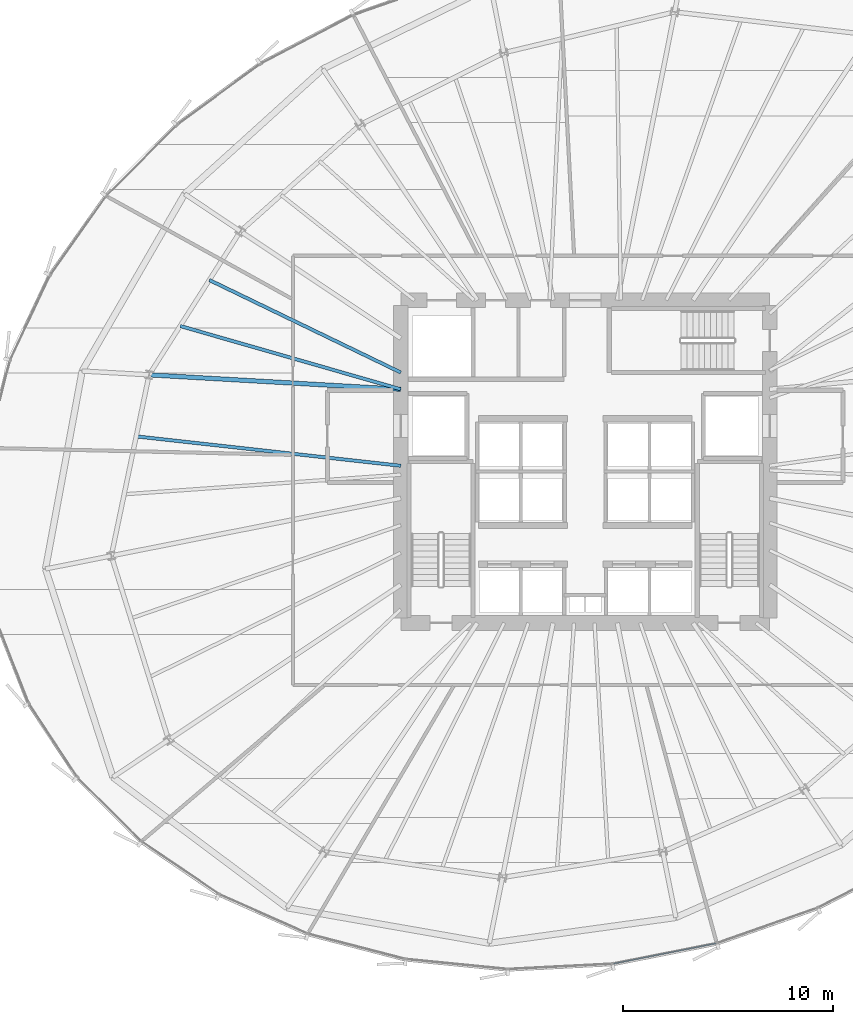
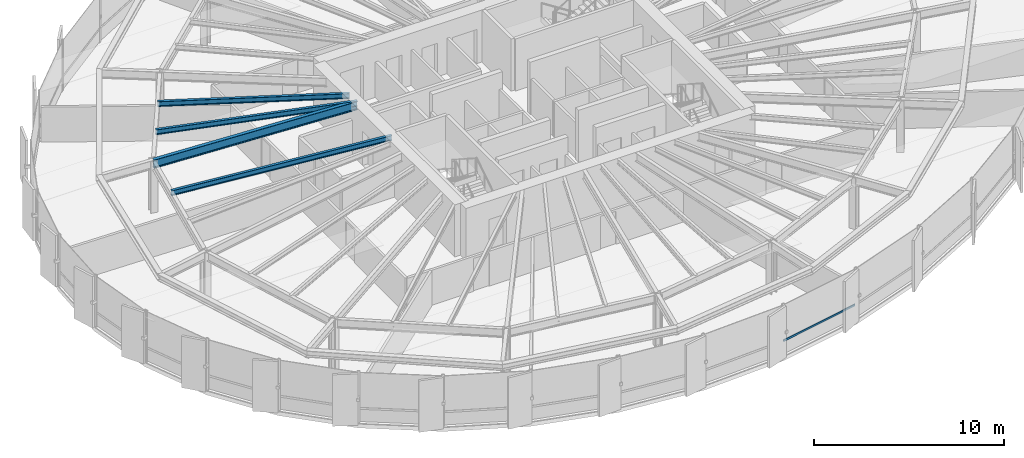
# One storey, part 10 of 35: 4 beams, 1 member, 1 element without a shape of its own.
"""IFC4 building model written with IfcOpenShell, lengths in metres."""

from ifc_helpers import new_model, si_unit, direction, frame, origin, origin_2d, place, context, subcontext, project, spatial, hollow_rectangle, i_section, extrude, source, transform, mapped, material, layer, layer_set, material_profile, profile_set, type_object, element, aggregate, save


model = new_model("IFC4")

# Units and contexts
model_context = context("Model", 3, precision=1e-05, world=origin(), true_north=direction((0.0, 1.0)))
body_context = subcontext(model_context, "Body", "Model", "MODEL_VIEW")
ifc_project = project(units=[si_unit("LENGTHUNIT", "METRE"), si_unit("AREAUNIT", "SQUARE_METRE"), si_unit("VOLUMEUNIT", "CUBIC_METRE"), si_unit("PLANEANGLEUNIT", "RADIAN"), si_unit("MASSUNIT", "GRAM", prefix="KILO"), si_unit("THERMODYNAMICTEMPERATUREUNIT", "KELVIN")], contexts=[model_context])

# Site, building, storey
site_placement = place(None, origin())
site = spatial("IfcSite", under=ifc_project, at=site_placement, CompositionType="ELEMENT")
building_placement = place(site_placement, origin())
building = spatial("IfcBuilding", under=site, at=building_placement, Name="Kethvar Cultural Tower", CompositionType="ELEMENT")
storey_placement = place(building_placement, frame((0.0, 0.0, 96.39990234375)))
storey = spatial("IfcBuildingStorey", under=building, at=storey_placement, Name="L23", CompositionType="ELEMENT", Elevation=96.39990234375)

# Beams
ifc_material_1 = material(Name="Steel S355J2", Category="steel")
ifc_material_profile_1 = material_profile(ifc_material_1, i_section(OverallWidth=0.2099609375, OverallDepth=0.550048828125, WebThickness=0.010986328125, FlangeThickness=0.01708984375, FilletRadius=0.02392578125, at=origin_2d()), Name="Steel S355J2 — IPE550")
ifc_profile_set_1 = profile_set([ifc_material_profile_1], Name="Steel S355J2 — IPE550")
beam_type_1 = type_object("IfcBeamType", Name="BM-IPE550", PredefinedType="BEAM", material=ifc_profile_set_1)
shared_shape_1 = source(origin(), body_context, "Body", "SweptSolid", [
    extrude(i_section(OverallWidth=0.2099609375, OverallDepth=0.550048828125, WebThickness=0.010986328125, FlangeThickness=0.01708984375, FilletRadius=0.02392578125, at=origin_2d()), origin(), (0.0, 0.0, 1.0), 12.03125),
])
beam_1_placement = place(storey_placement, frame((38.0, 31.25, 3.072998046875), z_axis=(-0.998355544741, 0.057325441856, 0.0), x_axis=(-0.057325441856, -0.998355544741, 0.0)))
element("IfcBeam", 1, at=beam_1_placement, inside=storey, type_object=beam_type_1, Name="L23 Primary Radial Beam RB-08", PredefinedType="BEAM", context=body_context, shape_type="MappedRepresentation", body=[
    mapped(shared_shape_1, transform((0.0, 0.0, 0.0), scale=1.0)),
])
ifc_material_profile_2 = material_profile(ifc_material_1, i_section(OverallWidth=0.159912109375, OverallDepth=0.330078125, WebThickness=0.007568359375, FlangeThickness=0.011474609375, FilletRadius=0.01806640625, at=origin_2d()), Name="Steel S355J2 — IPE330")
ifc_profile_set_2 = profile_set([ifc_material_profile_2], Name="Steel S355J2 — IPE330")
beam_type_2 = type_object("IfcBeamType", Name="BM-J330", PredefinedType="JOIST", material=ifc_profile_set_2)
shared_shape_2 = source(origin(), body_context, "Body", "SweptSolid", [
    extrude(i_section(OverallWidth=0.159912109375, OverallDepth=0.330078125, WebThickness=0.007568359375, FlangeThickness=0.011474609375, FilletRadius=0.01806640625, at=origin_2d()), origin(), (0.0, 0.0, 1.0), 10.1455078125),
])
beam_2_placement = place(storey_placement, frame((38.0, 32.05078125, 3.18310546875), z_axis=(-0.90045122575, 0.434956997927, 0.0), x_axis=(-0.434956997927, -0.90045122575, 0.0)))
element("IfcBeam", 2, at=beam_2_placement, inside=storey, type_object=beam_type_2, Name="L23 Composite Floor Joist J-07A", PredefinedType="JOIST", context=body_context, shape_type="MappedRepresentation", body=[
    mapped(shared_shape_2, transform((0.0, 0.0, 0.0), scale=1.0)),
])
shared_shape_3 = source(origin(), body_context, "Body", "SweptSolid", [
    extrude(i_section(OverallWidth=0.159912109375, OverallDepth=0.330078125, WebThickness=0.007568359375, FlangeThickness=0.011474609375, FilletRadius=0.01806640625, at=origin_2d()), origin(), (0.0, 0.0, 1.0), 10.95458984375),
])
beam_3_placement = place(storey_placement, frame((38.0, 31.25, 3.18310546875), z_axis=(-0.96124170623, 0.275707058676, 0.0), x_axis=(-0.275707058676, -0.96124170623, 0.0)))
element("IfcBeam", 3, at=beam_3_placement, inside=storey, type_object=beam_type_2, Name="L23 Composite Floor Joist J-07B", PredefinedType="JOIST", context=body_context, shape_type="MappedRepresentation", body=[
    mapped(shared_shape_3, transform((0.0, 0.0, 0.0), scale=1.0)),
])
shared_shape_4 = source(origin(), body_context, "Body", "SweptSolid", [
    extrude(i_section(OverallWidth=0.159912109375, OverallDepth=0.330078125, WebThickness=0.007568359375, FlangeThickness=0.011474609375, FilletRadius=0.01806640625, at=origin_2d()), origin(), (0.0, 0.0, 1.0), 12.7021484375),
])
beam_4_placement = place(storey_placement, frame((38.0, 27.60009765625, 3.18310546875), z_axis=(-0.993884906591, 0.110420978309, 0.0), x_axis=(-0.110420978309, -0.993884906591, 0.0)))
element("IfcBeam", 4, at=beam_4_placement, inside=storey, type_object=beam_type_2, Name="L23 Composite Floor Joist J-08A", PredefinedType="JOIST", context=body_context, shape_type="MappedRepresentation", body=[
    mapped(shared_shape_4, transform((0.0, 0.0, 0.0), scale=1.0)),
])

# Curtain wall, member
ifc_material_2 = material(Name="Aluminium 6063-T6", Category="aluminium")
ifc_layer = layer(ifc_material_2, 0.179931640625, Name="Aluminium 6063-T6", Category="aluminium")
ifc_layer_set = layer_set([ifc_layer], Name="Aluminium 6063-T6 (180 mm)")
curtain_wall_type = type_object("IfcCurtainWallType", Name="CW-SYS-03-Z2", PredefinedType="NOTDEFINED", material=ifc_layer_set)
curtain_wall_placement = place(storey_placement, origin())
curtain_wall = element("IfcCurtainWall", 5, at=curtain_wall_placement, inside=storey, type_object=curtain_wall_type, Name="L23 Curtain Wall Run 05", PredefinedType="NOTDEFINED")
ifc_material_profile_3 = material_profile(ifc_material_2, hollow_rectangle(XDim=0.054931640625, YDim=0.1201171875, WallThickness=0.00390625, at=origin_2d()), Name="Aluminium 6063-T6 — RHS120x55x4")
ifc_profile_set_3 = profile_set([ifc_material_profile_3], Name="Aluminium 6063-T6 — RHS120x55x4")
member_type = type_object("IfcMemberType", Name="CW-SYS-03-Z2-TRN", PredefinedType="USERDEFINED", material=ifc_profile_set_3)
shared_shape_5 = source(origin(), body_context, "Body", "SweptSolid", [
    extrude(hollow_rectangle(XDim=0.054931640625, YDim=0.1201171875, WallThickness=0.00390625, at=origin_2d()), origin(), (0.0, 0.0, 1.0), 4.99853515625),
])
member_placement = place(storey_placement, frame((48.14990234375, 3.839111328125, 0.9501953125), z_axis=(0.980962032911, 0.194199613765, 0.0), x_axis=(-0.194199613765, 0.980962032911, 0.0)))
member = element("IfcMember", 6, at=member_placement, type_object=member_type, Name="CW-L23-R05 Transom 3", ObjectType="TRANSOM", PredefinedType="USERDEFINED", context=body_context, shape_type="MappedRepresentation", body=[
    mapped(shared_shape_5, transform((0.0, 0.0, 0.0), scale=1.0)),
])
aggregate(curtain_wall, [member])

save(model, "model.ifc")
